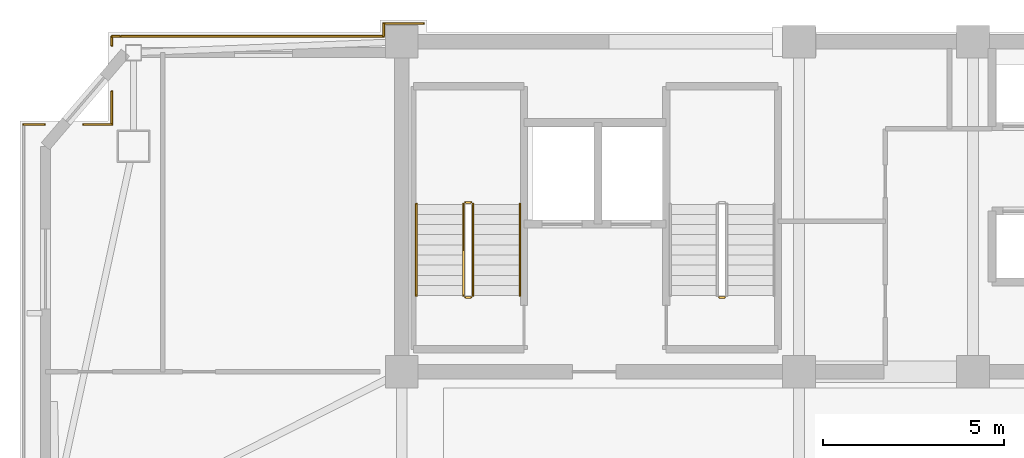
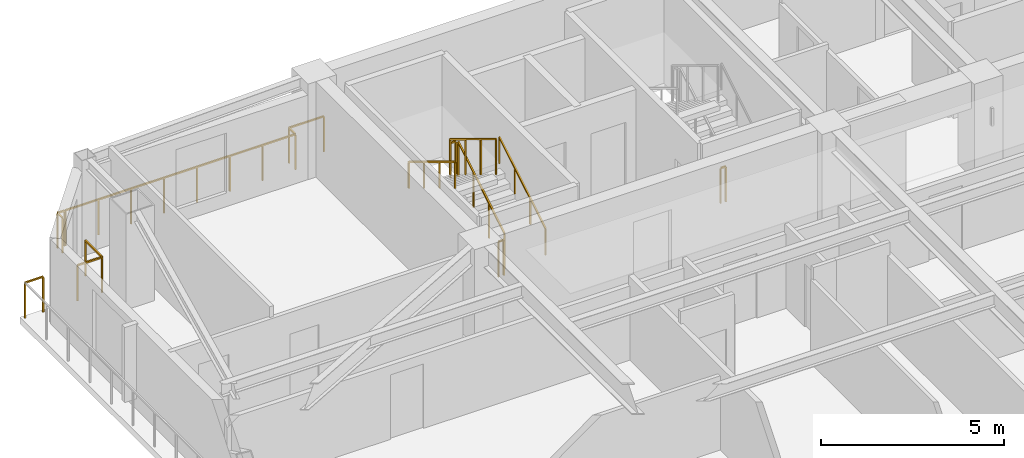
# One storey, part 13 of 15: 15 railings.
"""IFC4 building model written with IfcOpenShell, lengths in metres."""

import ifcopenshell
import ifcopenshell.guid

model = None  # the IFC model being written
_history = None  # IfcOwnerHistory: only IFC2X3 demands one
_inside = {}  # id of a spatial element -> (the spatial element, [elements in it])
_under = {}  # id of a project, library or spatial element -> (it, [spatial elements below it])
_declared = {}  # id of a project -> (the project, [libraries it declares])
_typed = {}  # id of a type object -> (the type object, [elements of that type])
_made_of = {}  # id of a material, layer set ... -> (it, [elements and type objects made of it])


def new_model(schema):
    """Start an empty IFC model of exactly this schema.

    Asked for "IFC4X3", IfcOpenShell would pick the latest addendum, in which some entities
    have other attributes; the version numbers below select the first issue.
    IFC2X3 requires an IfcOwnerHistory on every rooted entity: one is made here for all.
    """
    global model, _history
    if schema == "IFC4X3":
        model = ifcopenshell.file(schema_version=(4, 3, 0, 0))
    else:
        model = ifcopenshell.file(schema=schema)
    _inside.clear()
    _under.clear()
    _declared.clear()
    _typed.clear()
    _made_of.clear()
    _history = None
    if model.schema == "IFC2X3":
        org = make("IfcOrganization", Name="unknown")
        user = make(
            "IfcPersonAndOrganization",
            ThePerson=make("IfcPerson", FamilyName="unknown"),
            TheOrganization=org,
        )
        app = make(
            "IfcApplication",
            ApplicationDeveloper=org,
            Version="unknown",
            ApplicationFullName="unknown",
            ApplicationIdentifier="unknown",
        )
        _history = make(
            "IfcOwnerHistory",
            OwningUser=user,
            OwningApplication=app,
            ChangeAction="ADDED",
            CreationDate=0,
        )
    return model


def make(cls, **values):
    """One entity of the class cls with the attributes given. An attribute that is None is left unset."""
    return model.create_entity(
        cls, **{name: value for name, value in values.items() if value is not None}
    )


def rooted(cls, **values):
    """An entity with a GlobalId (a new one), such as an element, a storey or a relation."""
    return make(cls, GlobalId=ifcopenshell.guid.new(), OwnerHistory=_history, **values)


def si_unit(unit_type, name, prefix=None):
    """IfcSIUnit, for example si_unit("LENGTHUNIT", "METRE", prefix="MILLI")."""
    return make("IfcSIUnit", UnitType=unit_type, Prefix=prefix, Name=name)


def assignment(units):
    """IfcUnitAssignment: the units of a project."""
    return None if units is None else make("IfcUnitAssignment", Units=units)


def point(xyz):
    """IfcCartesianPoint."""
    return None if xyz is None else make("IfcCartesianPoint", Coordinates=xyz)


def direction(xyz):
    """IfcDirection."""
    return None if xyz is None else make("IfcDirection", DirectionRatios=xyz)


def frame(location, z_axis=None, x_axis=None):
    """IfcAxis2Placement3D, a coordinate frame: its origin and axes. An axis left out is left unset."""
    return make(
        "IfcAxis2Placement3D",
        Location=point(location),
        Axis=direction(z_axis),
        RefDirection=direction(x_axis),
    )


def frame_2d(location, x_axis=None):
    """IfcAxis2Placement2D, a coordinate frame in the plane: its origin and x axis."""
    return make(
        "IfcAxis2Placement2D", Location=point(location), RefDirection=direction(x_axis)
    )


def origin():
    """The frame at (0, 0, 0) with its axes left unset."""
    return frame((0.0, 0.0, 0.0))


def origin_2d():
    """The frame at (0, 0) in the plane with its x axis left unset."""
    return frame_2d((0.0, 0.0))


def place(relative_to, where):
    """IfcLocalPlacement: puts the frame where relative to a parent placement (None: the world)."""
    return make(
        "IfcLocalPlacement", PlacementRelTo=relative_to, RelativePlacement=where
    )


def context(
    kind, dimensions, precision=None, world=None, true_north=None, identifier=None
):
    """IfcGeometricRepresentationContext, for example the 3D "Model" context."""
    return make(
        "IfcGeometricRepresentationContext",
        ContextIdentifier=identifier,
        ContextType=kind,
        CoordinateSpaceDimension=dimensions,
        Precision=precision,
        WorldCoordinateSystem=world,
        TrueNorth=true_north,
    )


def subcontext(parent, identifier, kind, view, scale=None):
    """IfcGeometricRepresentationSubContext, for example "Body" below "Model"."""
    return make(
        "IfcGeometricRepresentationSubContext",
        ContextIdentifier=identifier,
        ContextType=kind,
        ParentContext=parent,
        TargetScale=scale,
        TargetView=view,
    )


def project(units=None, contexts=None):
    """IfcProject with its units and contexts."""
    return rooted(
        "IfcProject",
        Name="project",
        RepresentationContexts=contexts,
        UnitsInContext=assignment(units),
    )


def spatial(cls, under=None, at=None, **own):
    """A site, building, storey or space (cls), placed at a placement, below another one or the project."""
    s = rooted(cls, ObjectPlacement=at, **own)
    if under is not None:
        _under.setdefault(under.id(), (under, []))[1].append(s)
    return s


def profile(cls, at=None, kind="AREA", **sizes):
    """A parametric profile (cls). Its sizes go by their IFC names, for example OverallWidth=200.0."""
    return make(cls, ProfileType=kind, Position=at, **sizes)


def rectangle(**sizes):
    """IfcRectangleProfileDef."""
    return profile("IfcRectangleProfileDef", **sizes)


def extrude(swept, where, along, depth):
    """IfcExtrudedAreaSolid: the profile swept, set in the frame where, extruded along a direction by depth."""
    return make(
        "IfcExtrudedAreaSolid",
        SweptArea=swept,
        Position=where,
        ExtrudedDirection=direction(along),
        Depth=depth,
    )


def shape(context_of_items, identifier, shape_type, items):
    """IfcShapeRepresentation: the items that make up one representation, for example the "Body"."""
    return make(
        "IfcShapeRepresentation",
        ContextOfItems=context_of_items,
        RepresentationIdentifier=identifier,
        RepresentationType=shape_type,
        Items=items,
    )


def material(Name=None, Category=None):
    """IfcMaterial."""
    return make("IfcMaterial", Name=Name, Category=Category)


def made_of(thing, what):
    """Note that an element or type object is made of a material, layer set ...; save() writes the relation."""
    if what is not None:
        _made_of.setdefault(what.id(), (what, []))[1].append(thing)
    return thing


def type_object(cls, material=None, **own):
    """A type object (cls), such as IfcWallType, which elements share."""
    return made_of(rooted(cls, **own), material)


def element(
    cls,
    number,
    at=None,
    inside=None,
    cuts=None,
    type_object=None,
    material=None,
    context=None,
    identifier="Body",
    shape_type=None,
    held_by="IfcProductDefinitionShape",
    body=None,
    shapes=None,
    **own,
):
    """One element of the class cls, such as IfcWall. Its Tag is "e" and its number.

    at: its placement. inside: the storey or other place that contains it. cuts: it is an
    opening in that element (IfcRelVoidsElement). A single representation is given by context,
    identifier, shape_type and body (its items); several are given by shapes. held_by: the class
    of the entity that holds the representations. save() writes the other relations.
    """
    e = rooted(cls, Tag="e%d" % number, ObjectPlacement=at, **own)
    if body is not None:
        shapes = [shape(context, identifier, shape_type, body)]
    if shapes is not None:
        e.Representation = make(held_by, Representations=shapes)
    if inside is not None:
        _inside.setdefault(inside.id(), (inside, []))[1].append(e)
    if cuts is not None:
        rooted(
            "IfcRelVoidsElement", RelatingBuildingElement=cuts, RelatedOpeningElement=e
        )
    if type_object is not None:
        _typed.setdefault(type_object.id(), (type_object, []))[1].append(e)
    return made_of(e, material)


def aggregate(whole, parts):
    """IfcRelAggregates: a whole, such as a stair, and the parts it consists of."""
    return rooted("IfcRelAggregates", RelatingObject=whole, RelatedObjects=parts)


def save(model, path):
    """Write the relations noted so far, then the file.

    IfcRelAggregates (storeys below a building ...), IfcRelContainedInSpatialStructure (elements
    in a storey), IfcRelDefinesByType, IfcRelAssociatesMaterial and IfcRelDeclares: one each for
    every whole, place, type object, material and project.
    """
    for whole, parts in _under.values():
        aggregate(whole, parts)
    for where, things in _inside.values():
        rooted(
            "IfcRelContainedInSpatialStructure",
            RelatedElements=things,
            RelatingStructure=where,
        )
    for kind, things in _typed.values():
        rooted("IfcRelDefinesByType", RelatedObjects=things, RelatingType=kind)
    for what, things in _made_of.values():
        rooted("IfcRelAssociatesMaterial", RelatedObjects=things, RelatingMaterial=what)
    for by, libraries in _declared.values():
        rooted("IfcRelDeclares", RelatingContext=by, RelatedDefinitions=libraries)
    model.write(path)


model = new_model("IFC4")

# Units and contexts
model_context = context("Model", 3, precision=1e-05, world=origin(), true_north=direction((0.0, 1.0)))
body_context = subcontext(model_context, "Body", "Model", "MODEL_VIEW")
ifc_project = project(units=[si_unit("LENGTHUNIT", "METRE"), si_unit("AREAUNIT", "SQUARE_METRE"), si_unit("VOLUMEUNIT", "CUBIC_METRE"), si_unit("PLANEANGLEUNIT", "RADIAN"), si_unit("MASSUNIT", "GRAM", prefix="KILO")], contexts=[model_context])

# Site, building, storey
site_placement = place(None, origin())
site = spatial("IfcSite", under=ifc_project, at=site_placement, CompositionType="ELEMENT")
building_placement = place(site_placement, origin())
building = spatial("IfcBuilding", under=site, at=building_placement, Name="Giltprow Tower", CompositionType="ELEMENT")
storey_placement = place(building_placement, frame((0.0, 0.0, 297.199951171875)))
storey = spatial("IfcBuildingStorey", under=building, at=storey_placement, Name="L76", CompositionType="ELEMENT", Elevation=297.199951171875)

# Railings
ifc_material = material(Name="Anodized bronze", Category="metal")
railing_type_1 = type_object("IfcRailingType", Name="RAIL-BALC-GUARD-1200", PredefinedType="BALUSTRADE", material=ifc_material)
railing_1_placement = place(storey_placement, frame((9.424072265625, 44.27001953125, 0.0)))
element("IfcRailing", 1, at=railing_1_placement, inside=storey, type_object=railing_type_1, Name="L76 Corner Apron Edge Balustrade 14", PredefinedType="BALUSTRADE", context=body_context, shape_type="SweptSolid", body=[
    extrude(rectangle(XDim=0.048095703125, YDim=0.048095703125, at=origin_2d()), frame((0.0, 0.0, 1.17578125), z_axis=(1.0, 0.0, 0.0), x_axis=(0.0, 1.0, 0.0)), (0.0, 0.0, 1.0), 0.573974609375),
    extrude(rectangle(XDim=0.0419921875, YDim=0.0419921875, at=origin_2d()), origin(), (0.0, 0.0, 1.0), 1.15185546875),
    extrude(rectangle(XDim=0.0419921875, YDim=0.0419921875, at=origin_2d()), frame((0.573974609375, 0.0, 0.0)), (0.0, 0.0, 1.0), 1.15185546875),
])
railing_2_placement = place(storey_placement, frame((11.076904296875, 44.27001953125, 0.0)))
element("IfcRailing", 2, at=railing_2_placement, inside=storey, type_object=railing_type_1, Name="L76 Corner Apron Edge Balustrade 15", PredefinedType="BALUSTRADE", context=body_context, shape_type="SweptSolid", body=[
    extrude(rectangle(XDim=0.048095703125, YDim=0.048095703125, at=origin_2d()), frame((0.0, 0.0, 1.17578125), z_axis=(1.0, 0.0, 0.0), x_axis=(0.0, 1.0, 0.0)), (0.0, 0.0, 1.0), 0.778076171875),
    extrude(rectangle(XDim=0.0419921875, YDim=0.0419921875, at=origin_2d()), origin(), (0.0, 0.0, 1.0), 1.15185546875),
    extrude(rectangle(XDim=0.0419921875, YDim=0.0419921875, at=origin_2d()), frame((0.778076171875, 0.0, 0.0)), (0.0, 0.0, 1.0), 1.15185546875),
])
railing_3_placement = place(storey_placement, frame((11.85498046875, 44.27001953125, 0.0)))
element("IfcRailing", 3, at=railing_3_placement, inside=storey, type_object=railing_type_1, Name="L76 Corner Apron Edge Balustrade 16", PredefinedType="BALUSTRADE", context=body_context, shape_type="SweptSolid", body=[
    extrude(rectangle(XDim=0.048095703125, YDim=0.048095703125, at=origin_2d()), frame((0.0, 0.0, 1.17578125), z_axis=(0.0, 1.0, 0.0), x_axis=(-1.0, 0.0, 0.0)), (0.0, 0.0, 1.0), 0.909912109375),
    extrude(rectangle(XDim=0.0419921875, YDim=0.0419921875, at=origin_2d()), origin(), (0.0, 0.0, 1.0), 1.15185546875),
    extrude(rectangle(XDim=0.0419921875, YDim=0.0419921875, at=origin_2d()), frame((0.0, 0.909912109375, 0.0)), (0.0, 0.0, 1.0), 1.15185546875),
])
railing_4_placement = place(storey_placement, frame((11.85498046875, 46.44189453125, 0.0)))
element("IfcRailing", 4, at=railing_4_placement, inside=storey, type_object=railing_type_1, Name="L76 Corner Apron Edge Balustrade 17", PredefinedType="BALUSTRADE", context=body_context, shape_type="SweptSolid", body=[
    extrude(rectangle(XDim=0.048095703125, YDim=0.048095703125, at=origin_2d()), frame((0.0, 0.0, 1.17578125), z_axis=(0.0, 1.0, 0.0), x_axis=(-1.0, 0.0, 0.0)), (0.0, 0.0, 1.0), 0.258056640625),
    extrude(rectangle(XDim=0.0419921875, YDim=0.0419921875, at=origin_2d()), origin(), (0.0, 0.0, 1.0), 1.15185546875),
    extrude(rectangle(XDim=0.0419921875, YDim=0.0419921875, at=origin_2d()), frame((0.0, 0.258056640625, 0.0)), (0.0, 0.0, 1.0), 1.15185546875),
])
railing_5_placement = place(storey_placement, frame((11.85498046875, 46.699951171875, 0.0)))
element("IfcRailing", 5, at=railing_5_placement, inside=storey, type_object=railing_type_1, Name="L76 Corner Apron Edge Balustrade 18", PredefinedType="BALUSTRADE", context=body_context, shape_type="SweptSolid", body=[
    extrude(rectangle(XDim=0.048095703125, YDim=0.048095703125, at=origin_2d()), frame((0.0, 0.0, 1.17578125), z_axis=(1.0, 0.0, 0.0), x_axis=(0.0, 1.0, 0.0)), (0.0, 0.0, 1.0), 0.219970703125),
    extrude(rectangle(XDim=0.0419921875, YDim=0.0419921875, at=origin_2d()), origin(), (0.0, 0.0, 1.0), 1.15185546875),
    extrude(rectangle(XDim=0.0419921875, YDim=0.0419921875, at=origin_2d()), frame((0.219970703125, 0.0, 0.0)), (0.0, 0.0, 1.0), 1.15185546875),
])
railing_6_placement = place(storey_placement, frame((12.10400390625, 46.699951171875, 0.0)))
element("IfcRailing", 6, at=railing_6_placement, inside=storey, type_object=railing_type_1, Name="L76 Corner Apron Edge Balustrade 19", PredefinedType="BALUSTRADE", context=body_context, shape_type="SweptSolid", body=[
    extrude(rectangle(XDim=0.048095703125, YDim=0.048095703125, at=origin_2d()), frame((0.0, 0.0, 1.17578125), z_axis=(1.0, 0.0, 0.0), x_axis=(0.0, 1.0, 0.0)), (0.0, 0.0, 1.0), 7.24609375),
    extrude(rectangle(XDim=0.0419921875, YDim=0.0419921875, at=origin_2d()), origin(), (0.0, 0.0, 1.0), 1.15185546875),
    extrude(rectangle(XDim=0.0419921875, YDim=0.0419921875, at=origin_2d()), frame((1.03515625, 0.0, 0.0)), (0.0, 0.0, 1.0), 1.15185546875),
    extrude(rectangle(XDim=0.0419921875, YDim=0.0419921875, at=origin_2d()), frame((2.0703125, 0.0, 0.0)), (0.0, 0.0, 1.0), 1.15185546875),
    extrude(rectangle(XDim=0.0419921875, YDim=0.0419921875, at=origin_2d()), frame((3.10546875, 0.0, 0.0)), (0.0, 0.0, 1.0), 1.15185546875),
    extrude(rectangle(XDim=0.0419921875, YDim=0.0419921875, at=origin_2d()), frame((4.140625, 0.0, 0.0)), (0.0, 0.0, 1.0), 1.15185546875),
    extrude(rectangle(XDim=0.0419921875, YDim=0.0419921875, at=origin_2d()), frame((5.17578125, 0.0, 0.0)), (0.0, 0.0, 1.0), 1.15185546875),
    extrude(rectangle(XDim=0.0419921875, YDim=0.0419921875, at=origin_2d()), frame((6.2109375, 0.0, 0.0)), (0.0, 0.0, 1.0), 1.15185546875),
    extrude(rectangle(XDim=0.0419921875, YDim=0.0419921875, at=origin_2d()), frame((7.24609375, 0.0, 0.0)), (0.0, 0.0, 1.0), 1.15185546875),
])
railing_7_placement = place(storey_placement, frame((19.35009765625, 46.699951171875, 0.0)))
element("IfcRailing", 7, at=railing_7_placement, inside=storey, type_object=railing_type_1, Name="L76 Corner Apron Edge Balustrade 20", PredefinedType="BALUSTRADE", context=body_context, shape_type="SweptSolid", body=[
    extrude(rectangle(XDim=0.048095703125, YDim=0.048095703125, at=origin_2d()), frame((0.0, 0.0, 1.17578125), z_axis=(0.0, 1.0, 0.0), x_axis=(-1.0, 0.0, 0.0)), (0.0, 0.0, 1.0), 0.35009765625),
    extrude(rectangle(XDim=0.0419921875, YDim=0.0419921875, at=origin_2d()), origin(), (0.0, 0.0, 1.0), 1.15185546875),
    extrude(rectangle(XDim=0.0419921875, YDim=0.0419921875, at=origin_2d()), frame((0.0, 0.35009765625, 0.0)), (0.0, 0.0, 1.0), 1.15185546875),
])
railing_8_placement = place(storey_placement, frame((19.35009765625, 47.050048828125, 0.0)))
element("IfcRailing", 8, at=railing_8_placement, inside=storey, type_object=railing_type_1, Name="L76 Corner Apron Edge Balustrade 21", PredefinedType="BALUSTRADE", context=body_context, shape_type="SweptSolid", body=[
    extrude(rectangle(XDim=0.048095703125, YDim=0.048095703125, at=origin_2d()), frame((0.0, 0.0, 1.17578125), z_axis=(1.0, 0.0, 0.0), x_axis=(0.0, 1.0, 0.0)), (0.0, 0.0, 1.0), 1.099853515625),
    extrude(rectangle(XDim=0.0419921875, YDim=0.0419921875, at=origin_2d()), origin(), (0.0, 0.0, 1.0), 1.15185546875),
    extrude(rectangle(XDim=0.0419921875, YDim=0.0419921875, at=origin_2d()), frame((1.099853515625, 0.0, 0.0)), (0.0, 0.0, 1.0), 1.15185546875),
])
railing_type_2 = type_object("IfcRailingType", Name="RAIL-STAIR-GUARD-1200", PredefinedType="GUARDRAIL", material=ifc_material)
railing_9_placement = place(storey_placement, frame((21.81005859375, 39.550048828125, 0.170166015625)))
element("IfcRailing", 9, at=railing_9_placement, inside=storey, type_object=railing_type_2, Name="L76 ST-1 stair guard 1", PredefinedType="GUARDRAIL", context=body_context, shape_type="SweptSolid", body=[
    extrude(rectangle(XDim=0.048095703125, YDim=0.048095703125, at=origin_2d()), frame((0.0, 0.0, 1.17578125), z_axis=(0.0, 0.854821627497, 0.518921945155), x_axis=(-1.0, 0.0, 0.0)), (0.0, 0.0, 1.0), 2.947998046875),
    extrude(rectangle(XDim=0.0419921875, YDim=0.0419921875, at=origin_2d()), origin(), (0.0, 0.0, 1.0), 1.15185546875),
    extrude(rectangle(XDim=0.0419921875, YDim=0.0419921875, at=origin_2d()), frame((0.0, 0.840087890625, 0.510009765625)), (0.0, 0.0, 1.0), 1.15185546875),
    extrude(rectangle(XDim=0.0419921875, YDim=0.0419921875, at=origin_2d()), frame((0.0, 1.679931640625, 1.019775390625)), (0.0, 0.0, 1.0), 1.15185546875),
    extrude(rectangle(XDim=0.0419921875, YDim=0.0419921875, at=origin_2d()), frame((0.0, 2.52001953125, 1.52978515625)), (0.0, 0.0, 1.0), 1.15185546875),
])
railing_10_placement = place(storey_placement, frame((21.760009765625, 42.1201171875, 1.699951171875)))
element("IfcRailing", 10, at=railing_10_placement, inside=storey, type_object=railing_type_2, Name="L76 ST-1 stair guard 2", PredefinedType="GUARDRAIL", context=body_context, shape_type="SweptSolid", body=[
    extrude(rectangle(XDim=0.048095703125, YDim=0.048095703125, at=origin_2d()), frame((0.0, 0.0, 1.17578125), z_axis=(-1.0, 0.0, 0.0), x_axis=(0.0, -1.0, 0.0)), (0.0, 0.0, 1.0), 0.159912109375),
    extrude(rectangle(XDim=0.0419921875, YDim=0.0419921875, at=origin_2d()), origin(), (0.0, 0.0, 1.0), 1.15185546875),
    extrude(rectangle(XDim=0.0419921875, YDim=0.0419921875, at=origin_2d()), frame((-0.159912109375, 0.0, 0.0)), (0.0, 0.0, 1.0), 1.15185546875),
])
railing_11_placement = place(storey_placement, frame((21.550048828125, 42.070068359375, 1.8701171875)))
element("IfcRailing", 11, at=railing_11_placement, inside=storey, type_object=railing_type_2, Name="L76 ST-1 stair guard 3", PredefinedType="GUARDRAIL", context=body_context, shape_type="SweptSolid", body=[
    extrude(rectangle(XDim=0.048095703125, YDim=0.048095703125, at=origin_2d()), frame((0.0, 0.0, 1.17578125), z_axis=(0.0, -0.85478489116, 0.518982456201), x_axis=(1.0, 0.0, 0.0)), (0.0, 0.0, 1.0), 2.9482421875),
    extrude(rectangle(XDim=0.0419921875, YDim=0.0419921875, at=origin_2d()), origin(), (0.0, 0.0, 1.0), 1.15185546875),
    extrude(rectangle(XDim=0.0419921875, YDim=0.0419921875, at=origin_2d()), frame((0.0, -0.840087890625, 0.510009765625)), (0.0, 0.0, 1.0), 1.15185546875),
    extrude(rectangle(XDim=0.0419921875, YDim=0.0419921875, at=origin_2d()), frame((0.0, -1.679931640625, 1.02001953125)), (0.0, 0.0, 1.0), 1.15185546875),
    extrude(rectangle(XDim=0.0419921875, YDim=0.0419921875, at=origin_2d()), frame((0.0, -2.52001953125, 1.530029296875)), (0.0, 0.0, 1.0), 1.15185546875),
])
for number, where, name in (
    (12, (21.760009765625, 39.5, 0.0), "L76 ST-1 stair guard 4"),
    (13, (28.760009765625, 39.5, 0.0), "L76 ST-2 stair guard 4"),
):
    element("IfcRailing", number, at=place(storey_placement, frame(where)), inside=storey, type_object=railing_type_2, Name=name, PredefinedType="GUARDRAIL", context=body_context, shape_type="SweptSolid", body=[
        extrude(rectangle(XDim=0.048095703125, YDim=0.048095703125, at=origin_2d()), frame((0.0, 0.0, 1.17578125), z_axis=(-1.0, 0.0, 0.0), x_axis=(0.0, -1.0, 0.0)), (0.0, 0.0, 1.0), 0.159912109375),
        extrude(rectangle(XDim=0.0419921875, YDim=0.0419921875, at=origin_2d()), origin(), (0.0, 0.0, 1.0), 1.15185546875),
        extrude(rectangle(XDim=0.0419921875, YDim=0.0419921875, at=origin_2d()), frame((-0.159912109375, 0.0, 0.0)), (0.0, 0.0, 1.0), 1.15185546875),
    ])
railing_type_3 = type_object("IfcRailingType", Name="RAIL-STAIR-HAND-900", PredefinedType="HANDRAIL", material=ifc_material)
railing_12_placement = place(storey_placement, frame((23.110107421875, 39.550048828125, 0.170166015625)))
element("IfcRailing", 14, at=railing_12_placement, inside=storey, type_object=railing_type_3, Name="L76 ST-1 stair handrail 1", PredefinedType="HANDRAIL", context=body_context, shape_type="SweptSolid", body=[
    extrude(rectangle(XDim=0.048095703125, YDim=0.048095703125, at=origin_2d()), frame((0.0, 0.0, 0.8759765625), z_axis=(0.0, 0.854821627497, 0.518921945155), x_axis=(-1.0, 0.0, 0.0)), (0.0, 0.0, 1.0), 2.947998046875),
    extrude(rectangle(XDim=0.0419921875, YDim=0.0419921875, at=origin_2d()), origin(), (0.0, 0.0, 1.0), 0.851806640625),
    extrude(rectangle(XDim=0.0419921875, YDim=0.0419921875, at=origin_2d()), frame((0.0, 0.840087890625, 0.510009765625)), (0.0, 0.0, 1.0), 0.851806640625),
    extrude(rectangle(XDim=0.0419921875, YDim=0.0419921875, at=origin_2d()), frame((0.0, 1.679931640625, 1.019775390625)), (0.0, 0.0, 1.0), 0.851806640625),
    extrude(rectangle(XDim=0.0419921875, YDim=0.0419921875, at=origin_2d()), frame((0.0, 2.52001953125, 1.52978515625)), (0.0, 0.0, 1.0), 0.851806640625),
])
railing_13_placement = place(storey_placement, frame((20.25, 42.070068359375, 1.8701171875)))
element("IfcRailing", 15, at=railing_13_placement, inside=storey, type_object=railing_type_3, Name="L76 ST-1 stair handrail 2", PredefinedType="HANDRAIL", context=body_context, shape_type="SweptSolid", body=[
    extrude(rectangle(XDim=0.048095703125, YDim=0.048095703125, at=origin_2d()), frame((0.0, 0.0, 0.8759765625), z_axis=(0.0, -0.85478489116, 0.518982456201), x_axis=(1.0, 0.0, 0.0)), (0.0, 0.0, 1.0), 2.9482421875),
    extrude(rectangle(XDim=0.0419921875, YDim=0.0419921875, at=origin_2d()), origin(), (0.0, 0.0, 1.0), 0.851806640625),
    extrude(rectangle(XDim=0.0419921875, YDim=0.0419921875, at=origin_2d()), frame((0.0, -0.840087890625, 0.510009765625)), (0.0, 0.0, 1.0), 0.851806640625),
    extrude(rectangle(XDim=0.0419921875, YDim=0.0419921875, at=origin_2d()), frame((0.0, -1.679931640625, 1.02001953125)), (0.0, 0.0, 1.0), 0.851806640625),
    extrude(rectangle(XDim=0.0419921875, YDim=0.0419921875, at=origin_2d()), frame((0.0, -2.52001953125, 1.530029296875)), (0.0, 0.0, 1.0), 0.851806640625),
])

save(model, "model.ifc")
